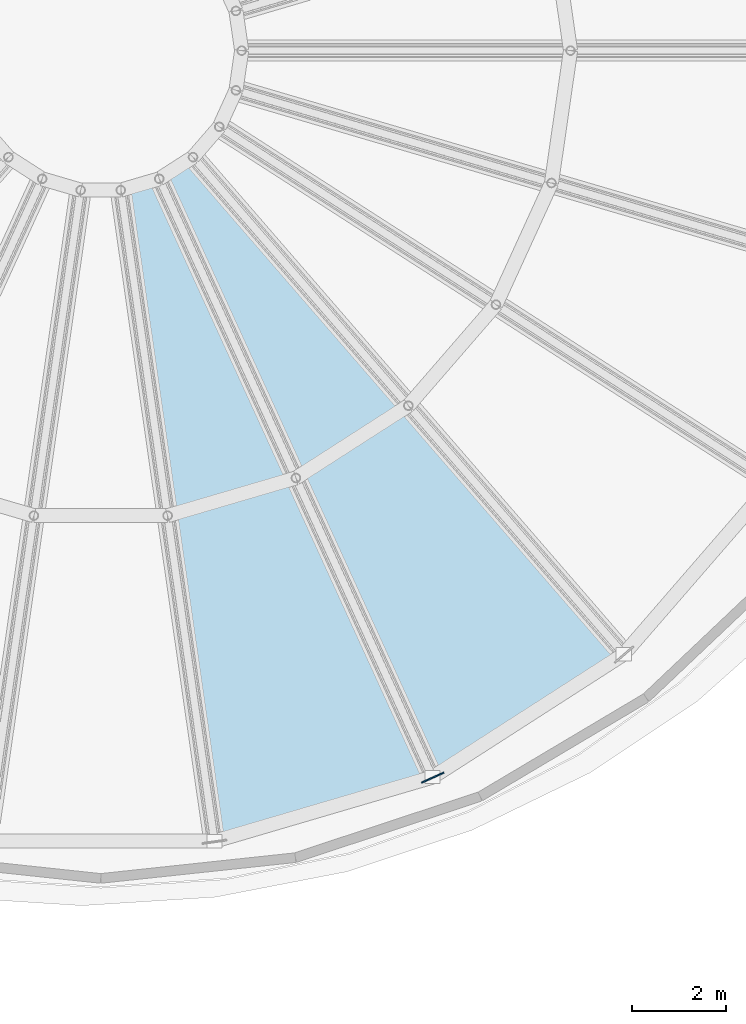
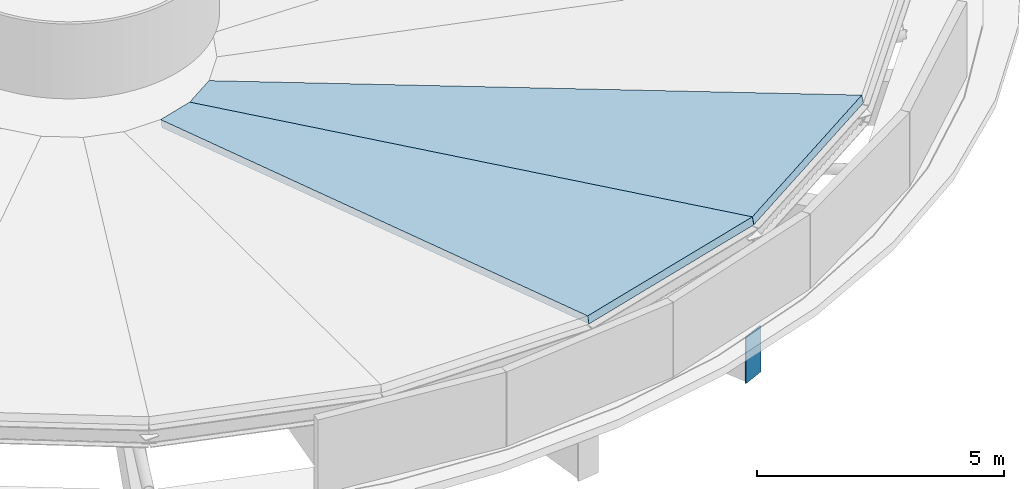
# One storey, part 39 of 69: 2 slabs, 1 plate.
"""IFC4 building model written with IfcOpenShell, lengths in metres."""

from ifc_helpers import new_model, si_unit, direction, frame, origin, origin_2d, place, context, subcontext, project, spatial, polyline, rectangle, outline, extrude, material, layer, layer_set, type_object, element, save


model = new_model("IFC4")

# Units and contexts
model_context = context("Model", 3, precision=1e-05, world=origin(), true_north=direction((0.0, 1.0)))
body_context = subcontext(model_context, "Body", "Model", "MODEL_VIEW")
ifc_project = project(units=[si_unit("LENGTHUNIT", "METRE"), si_unit("AREAUNIT", "SQUARE_METRE"), si_unit("VOLUMEUNIT", "CUBIC_METRE"), si_unit("PLANEANGLEUNIT", "RADIAN"), si_unit("MASSUNIT", "GRAM", prefix="KILO")], contexts=[model_context])

# Site, building, storey
site_placement = place(None, origin())
site = spatial("IfcSite", under=ifc_project, at=site_placement, CompositionType="ELEMENT")
building_placement = place(site_placement, origin())
building = spatial("IfcBuilding", under=site, at=building_placement, Name="Pelvatis Terrace Science Centre", CompositionType="ELEMENT")
storey_placement = place(building_placement, frame((0.0, 0.0, 15.0)))
storey = spatial("IfcBuildingStorey", under=building, at=storey_placement, Name="L03", CompositionType="ELEMENT", Elevation=15.0)

# Plate
ifc_material_1 = material(Name="Structural steel S355", Category="steel")
ifc_layer_1 = layer(ifc_material_1, 1.139892578125)
ifc_layer_set_1 = layer_set([ifc_layer_1], Name="Structural steel S355")
plate_type = type_object("IfcPlateType", Name="PLT-CAP-BOX1100", PredefinedType="USERDEFINED", material=ifc_layer_set_1)
plate_placement = place(storey_placement, frame((85.067138671875, 39.12548828125, -2.1201171875), z_axis=(0.0, 0.0, 1.0), x_axis=(0.415487175664, -0.909599036311, 0.0)))
element("IfcPlate", 1, at=plate_placement, inside=storey, type_object=plate_type, Name="Hollow box girder end cap plate 052", ObjectType="CAP PLATE", PredefinedType="USERDEFINED", context=body_context, shape_type="SweptSolid", body=[
    extrude(rectangle(XDim=0.031982421875, YDim=0.52001953125, at=origin_2d()), origin(), (0.0, 0.0, 1.0), 1.139892578125),
])

# Slabs
ifc_material_2 = material(Name="Concrete C35/45", Category="concrete")
ifc_layer_2 = layer(ifc_material_2, 0.18505859375)
ifc_layer_set_2 = layer_set([ifc_layer_2], Name="Concrete C35/45")
slab_type = type_object("IfcSlabType", Name="SLB-BOWL-185", PredefinedType="ROOF", material=ifc_layer_set_2)
slab_1_placement = place(storey_placement, frame((80.41943359375, 37.77294921875, 1.85009765625), z_axis=(-0.05672097146, 0.19316560398, 0.979525283408), x_axis=(0.95948762456, 0.281750773405, -1.519253e-06)))
element("IfcSlab", 2, at=slab_1_placement, inside=storey, type_object=slab_type, Name="Shallow closed bowl roof sector 18", PredefinedType="ROOF", context=body_context, shape_type="SweptSolid", body=[
    extrude(outline(polyline([(0.0, 0.0), (4.838601803545499, 0.0), (2.8463623928232167, 14.14724545671547), (1.9926989425785877, 14.147288412916833), (0.0, 0.0)])), origin(), (0.0, 0.0, -1.0), 0.18505859375),
])
slab_2_placement = place(storey_placement, frame((85.06201171875, 39.13623046875, 1.85009765625), z_axis=(-0.10884023815, 0.16936459714, 0.979525107282), x_axis=(0.841255782837, 0.540637316357, -2.39048e-06)))
element("IfcSlab", 3, at=slab_2_placement, inside=storey, type_object=slab_type, Name="Shallow closed bowl roof sector 19", PredefinedType="ROOF", context=body_context, shape_type="SweptSolid", body=[
    extrude(outline(polyline([(0.0, 0.0), (4.838668582032592, 0.0), (2.846317690067832, 14.147172921544419), (1.992274493261145, 14.147240516284777), (0.0, 0.0)])), origin(), (0.0, 0.0, -1.0), 0.18505859375),
])

save(model, "model.ifc")
